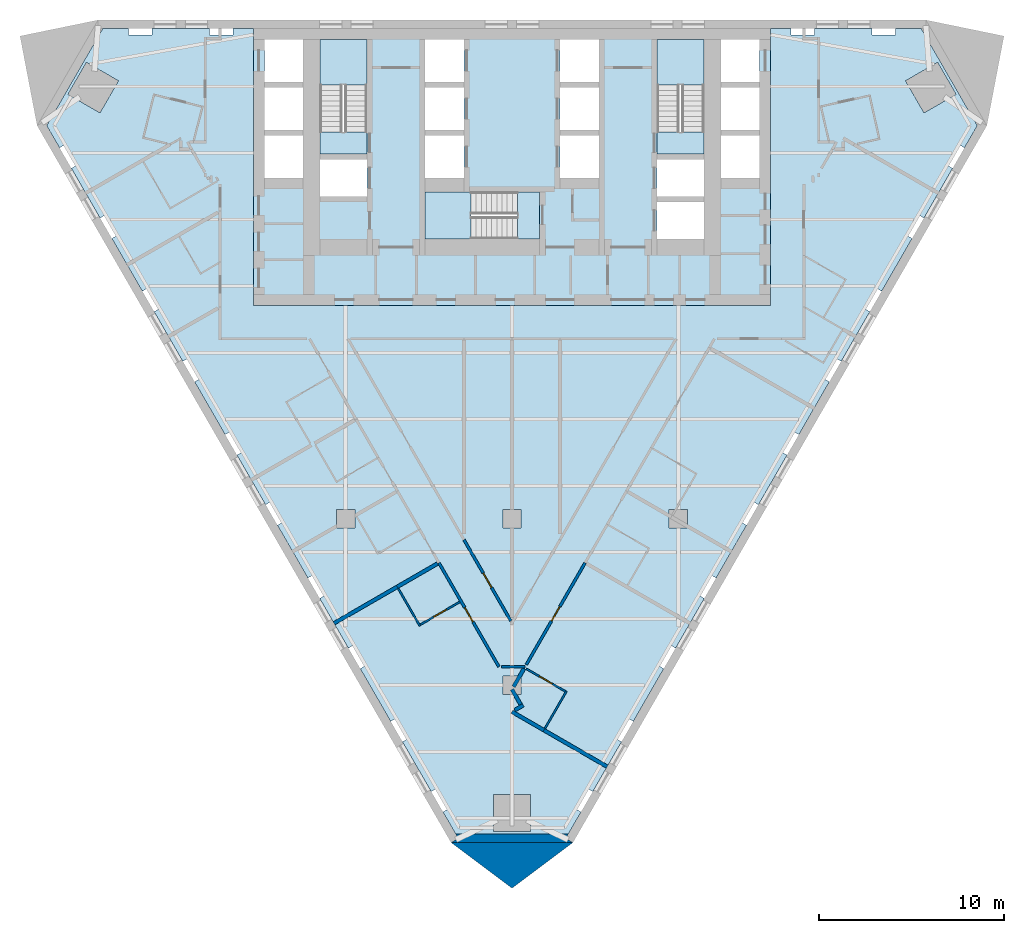
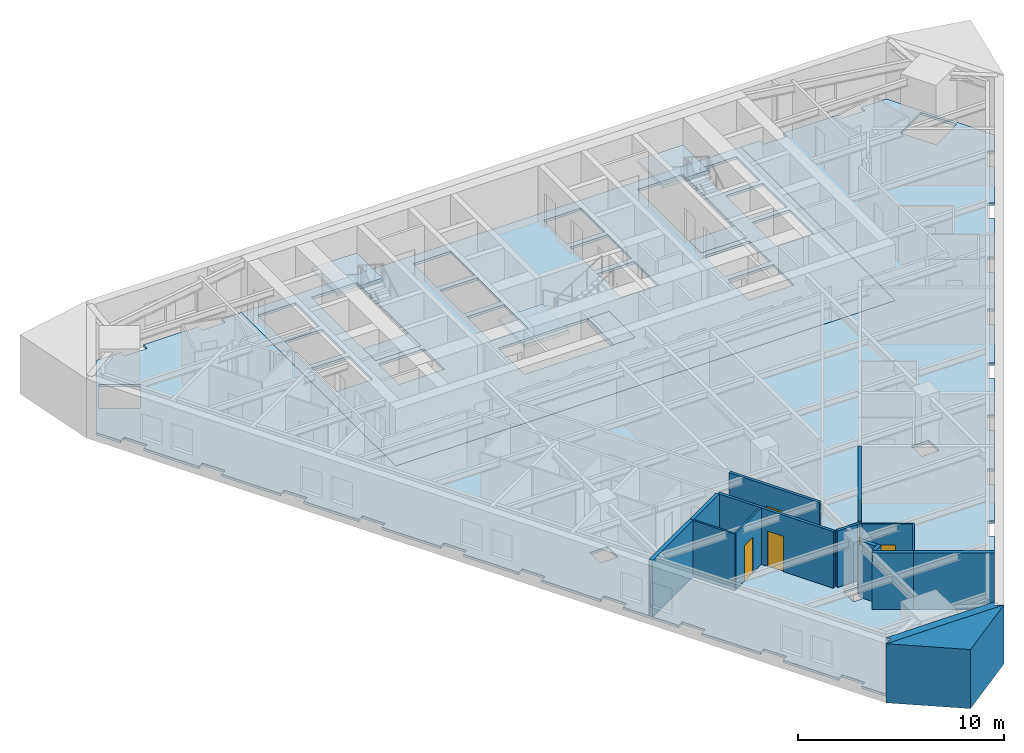
# One storey, part 2 of 10: 17 walls, 8 slabs, 5 doors, 5 openings, 3 elements without a shape of their own.
"""IFC4 building model written with IfcOpenShell, lengths in metres."""

from ifc_helpers import new_model, si_unit, direction, frame, frame_2d, origin, place, context, subcontext, project, spatial, polyline, rectangle, outline, extrude, material, layer, layer_set, type_object, element, fill, aggregate, save


model = new_model("IFC4")

# Units and contexts
model_context = context("Model", 3, precision=1e-05, world=origin(), true_north=direction((0.0, 1.0)))
body_context = subcontext(model_context, "Body", "Model", "MODEL_VIEW")
ifc_project = project(units=[si_unit("LENGTHUNIT", "METRE"), si_unit("AREAUNIT", "SQUARE_METRE"), si_unit("VOLUMEUNIT", "CUBIC_METRE"), si_unit("PLANEANGLEUNIT", "RADIAN"), si_unit("MASSUNIT", "GRAM", prefix="KILO")], contexts=[model_context])

# Site, building, storey
site_placement = place(None, origin())
site = spatial("IfcSite", under=ifc_project, at=site_placement, CompositionType="ELEMENT")
building_placement = place(site_placement, origin())
building = spatial("IfcBuilding", under=site, at=building_placement, Name="Aloe Facet Convention Tower", CompositionType="ELEMENT")
storey_placement = place(building_placement, frame((0.0, 0.0, 59.5)))
storey = spatial("IfcBuildingStorey", under=building, at=storey_placement, Name="L13", CompositionType="ELEMENT", Elevation=59.5)

# Slabs
ifc_material_1 = material(Name="Concrete C80/95", Category="concrete")
ifc_layer_1 = layer(ifc_material_1, 0.14990234375)
ifc_layer_set_1 = layer_set([ifc_layer_1], Name="CR-S-FLOOR150-C8095")
slab_type_1 = type_object("IfcSlabType", Name="CR-S-FLOOR150-C8095", PredefinedType="FLOOR", material=ifc_layer_set_1)
slab_1_placement = place(storey_placement, frame((0.0, 0.0, -0.14990234375)))
element("IfcSlab", 1, at=slab_1_placement, inside=storey, type_object=slab_type_1, Name="Core floor L13", PredefinedType="FLOOR", context=body_context, shape_type="SweptSolid", body=[
    extrude(outline(polyline([(69.300048828125, 134.550048828125), (71.85009765625, 134.550048828125), (72.75, 134.550048828125), (74.699951171875, 134.550048828125), (75.60009765625, 134.550048828125), (77.10009765625, 134.550048828125), (78.0, 134.550048828125), (82.0, 134.550048828125), (82.89990234375, 134.550048828125), (84.39990234375, 134.550048828125), (85.300048828125, 134.550048828125), (87.25, 134.550048828125), (88.14990234375, 134.550048828125), (90.699951171875, 134.550048828125), (91.0, 134.550048828125), (94.0, 134.550048828125), (94.0, 131.949951171875), (94.0, 131.050048828125), (94.0, 129.35009765625), (94.0, 128.449951171875), (94.0, 126.449951171875), (94.0, 125.85009765625), (94.0, 124.949951171875), (94.0, 123.89990234375), (94.0, 122.871337890625), (94.0, 121.821533203125), (94.0, 119.550048828125), (91.300048828125, 119.550048828125), (90.699951171875, 119.550048828125), (89.60009765625, 119.550048828125), (88.550048828125, 119.550048828125), (87.89990234375, 119.550048828125), (86.85009765625, 119.550048828125), (85.699951171875, 119.550048828125), (84.64990234375, 119.550048828125), (83.699951171875, 119.550048828125), (82.64990234375, 119.550048828125), (81.75, 119.550048828125), (80.699951171875, 119.550048828125), (78.550048828125, 119.550048828125), (77.5, 119.550048828125), (75.35009765625, 119.550048828125), (74.300048828125, 119.550048828125), (73.14990234375, 119.550048828125), (72.10009765625, 119.550048828125), (69.300048828125, 119.550048828125), (66.0, 119.550048828125), (66.0, 121.5), (66.0, 122.550048828125), (66.0, 123.449951171875), (66.0, 124.5), (66.0, 125.85009765625), (66.0, 126.449951171875), (66.0, 128.449951171875), (66.0, 129.35009765625), (66.0, 131.050048828125), (66.0, 131.949951171875), (66.0, 134.550048828125), (69.0, 134.550048828125), (69.300048828125, 134.550048828125)]), holes=[polyline([(75.300048828125, 123.14990234375), (80.298828125, 123.14990234375), (81.5, 123.14990234375), (81.5, 125.699951171875), (80.298828125, 125.699951171875), (75.300048828125, 125.699951171875), (75.300048828125, 123.14990234375)]), polyline([(69.60009765625, 125.449951171875), (72.14990234375, 125.449951171875), (72.14990234375, 127.449951171875), (69.60009765625, 127.449951171875), (69.60009765625, 125.449951171875)]), polyline([(66.60009765625, 126.449951171875), (68.699951171875, 126.449951171875), (68.699951171875, 128.75), (66.60009765625, 128.75), (66.60009765625, 126.449951171875)]), polyline([(75.300048828125, 126.449951171875), (77.39990234375, 126.449951171875), (77.39990234375, 128.75), (75.300048828125, 128.75), (75.300048828125, 126.449951171875)]), polyline([(66.60009765625, 129.050048828125), (68.699951171875, 129.050048828125), (68.699951171875, 131.35009765625), (66.60009765625, 131.35009765625), (66.60009765625, 129.050048828125)]), polyline([(75.300048828125, 129.050048828125), (77.39990234375, 129.050048828125), (77.39990234375, 131.35009765625), (75.300048828125, 131.35009765625), (75.300048828125, 129.050048828125)]), polyline([(69.60009765625, 133.949951171875), (69.60009765625, 128.951171875), (69.60009765625, 127.75), (72.14990234375, 127.75), (72.14990234375, 128.951171875), (72.14990234375, 133.949951171875), (69.60009765625, 133.949951171875)]), polyline([(66.60009765625, 133.949951171875), (66.60009765625, 131.64990234375), (68.699951171875, 131.64990234375), (68.699951171875, 133.949951171875), (66.60009765625, 133.949951171875)]), polyline([(75.300048828125, 133.949951171875), (75.300048828125, 131.64990234375), (77.39990234375, 131.64990234375), (77.39990234375, 133.949951171875), (75.300048828125, 133.949951171875)]), polyline([(87.85009765625, 123.14990234375), (90.39990234375, 123.14990234375), (90.39990234375, 125.14990234375), (87.85009765625, 125.14990234375), (87.85009765625, 123.14990234375)]), polyline([(87.85009765625, 125.449951171875), (90.39990234375, 125.449951171875), (90.39990234375, 127.449951171875), (87.85009765625, 127.449951171875), (87.85009765625, 125.449951171875)]), polyline([(82.60009765625, 126.449951171875), (84.699951171875, 126.449951171875), (84.699951171875, 128.75), (82.60009765625, 128.75), (82.60009765625, 126.449951171875)]), polyline([(91.300048828125, 126.449951171875), (93.39990234375, 126.449951171875), (93.39990234375, 128.75), (91.300048828125, 128.75), (91.300048828125, 126.449951171875)]), polyline([(82.60009765625, 129.050048828125), (84.699951171875, 129.050048828125), (84.699951171875, 131.35009765625), (82.60009765625, 131.35009765625), (82.60009765625, 129.050048828125)]), polyline([(91.300048828125, 129.050048828125), (93.39990234375, 129.050048828125), (93.39990234375, 131.35009765625), (91.300048828125, 131.35009765625), (91.300048828125, 129.050048828125)]), polyline([(87.85009765625, 133.949951171875), (87.85009765625, 128.951171875), (87.85009765625, 127.75), (90.39990234375, 127.75), (90.39990234375, 128.951171875), (90.39990234375, 133.949951171875), (87.85009765625, 133.949951171875)]), polyline([(82.60009765625, 133.949951171875), (82.60009765625, 131.64990234375), (84.699951171875, 131.64990234375), (84.699951171875, 133.949951171875), (82.60009765625, 133.949951171875)]), polyline([(91.300048828125, 133.949951171875), (91.300048828125, 131.64990234375), (93.39990234375, 131.64990234375), (93.39990234375, 133.949951171875), (91.300048828125, 133.949951171875)])]), origin(), (0.0, 0.0, 1.0), 0.14990234375),
])
ifc_material_2 = material(Name="Concrete C80/95", Category="concrete")
ifc_layer_2 = layer(ifc_material_2, 0.300048828125)
ifc_layer_set_2 = layer_set([ifc_layer_2], Name="CR-S-FLOOR300-C8095")
slab_type_2 = type_object("IfcSlabType", Name="CR-S-FLOOR300-C8095", PredefinedType="FLOOR", material=ifc_layer_set_2)
slab_2_placement = place(storey_placement, frame((0.0, 0.0, -0.300048828125)))
element("IfcSlab", 2, at=slab_2_placement, inside=storey, type_object=slab_type_2, Name="Stair landing floor L13", PredefinedType="FLOOR", context=body_context, shape_type="SweptSolid", body=[
    extrude(outline(polyline([(72.14990234375, 127.75), (72.14990234375, 128.951171875), (69.60009765625, 128.951171875), (69.60009765625, 127.75), (72.14990234375, 127.75)])), origin(), (0.0, 0.0, 1.0), 0.300048828125),
])
slab_3_placement = place(storey_placement, frame((0.0, 0.0, -0.300048828125)))
element("IfcSlab", 3, at=slab_3_placement, inside=storey, type_object=slab_type_2, Name="Stair landing floor L13", PredefinedType="FLOOR", context=body_context, shape_type="SweptSolid", body=[
    extrude(outline(polyline([(90.39990234375, 127.75), (90.39990234375, 128.951171875), (87.85009765625, 128.951171875), (87.85009765625, 127.75), (90.39990234375, 127.75)])), origin(), (0.0, 0.0, 1.0), 0.300048828125),
])
slab_4_placement = place(storey_placement, frame((0.0, 0.0, -0.300048828125)))
element("IfcSlab", 4, at=slab_4_placement, inside=storey, type_object=slab_type_2, Name="Stair landing floor L13", PredefinedType="FLOOR", context=body_context, shape_type="SweptSolid", body=[
    extrude(outline(polyline([(81.5, 125.699951171875), (80.298828125, 125.699951171875), (80.298828125, 123.14990234375), (81.5, 123.14990234375), (81.5, 125.699951171875)])), origin(), (0.0, 0.0, 1.0), 0.300048828125),
])

# Stair, slab
ifc_material_3 = material(Name="Concrete C50/60", Category="concrete")
stair_type = type_object("IfcStairType", Name="CR-ST-20R", PredefinedType="HALF_TURN_STAIR", material=ifc_material_3)
stair_1_placement = place(storey_placement, origin())
stair_1 = element("IfcStair", 5, at=stair_1_placement, inside=storey, type_object=stair_type, Name="L13 Protected exit stair ST1", PredefinedType="HALF_TURN_STAIR")
ifc_material_4 = material(Name="Concrete C50/60", Category="concrete")
ifc_layer_3 = layer(ifc_material_4, 0.199951171875)
ifc_layer_set_3 = layer_set([ifc_layer_3], Name="CR-SL-LANDING")
slab_type_3 = type_object("IfcSlabType", Name="CR-SL-LANDING", PredefinedType="LANDING", material=ifc_layer_set_3)
slab_5_placement = place(storey_placement, frame((0.0, 0.0, 1.550048828125)))
slab_5 = element("IfcSlab", 6, at=slab_5_placement, type_object=slab_type_3, Name="ST1 landing 1", PredefinedType="LANDING", context=body_context, shape_type="SweptSolid", body=[
    extrude(outline(polyline([(72.14990234375, 131.469970703125), (72.14990234375, 133.949951171875), (69.60009765625, 133.949951171875), (69.60009765625, 131.469970703125), (72.14990234375, 131.469970703125)])), origin(), (0.0, 0.0, 1.0), 0.199951171875),
])
aggregate(stair_1, [slab_5])

stair_2_placement = place(storey_placement, origin())
stair_2 = element("IfcStair", 7, at=stair_2_placement, inside=storey, type_object=stair_type, Name="L13 Protected exit stair ST2", PredefinedType="HALF_TURN_STAIR")
slab_6_placement = place(storey_placement, frame((0.0, 0.0, 1.550048828125)))
slab_6 = element("IfcSlab", 8, at=slab_6_placement, type_object=slab_type_3, Name="ST2 landing 1", PredefinedType="LANDING", context=body_context, shape_type="SweptSolid", body=[
    extrude(outline(polyline([(90.39990234375, 131.469970703125), (90.39990234375, 133.949951171875), (87.85009765625, 133.949951171875), (87.85009765625, 131.469970703125), (90.39990234375, 131.469970703125)])), origin(), (0.0, 0.0, 1.0), 0.199951171875),
])
aggregate(stair_2, [slab_6])

stair_3_placement = place(storey_placement, origin())
stair_3 = element("IfcStair", 9, at=stair_3_placement, inside=storey, type_object=stair_type, Name="L13 Protected exit stair ST3", PredefinedType="HALF_TURN_STAIR")
slab_7_placement = place(storey_placement, frame((0.0, 0.0, 1.550048828125)))
slab_7 = element("IfcSlab", 10, at=slab_7_placement, type_object=slab_type_3, Name="ST3 landing 1", PredefinedType="LANDING", context=body_context, shape_type="SweptSolid", body=[
    extrude(outline(polyline([(77.780029296875, 125.699951171875), (75.300048828125, 125.699951171875), (75.300048828125, 123.14990234375), (77.780029296875, 123.14990234375), (77.780029296875, 125.699951171875)])), origin(), (0.0, 0.0, 1.0), 0.199951171875),
])
aggregate(stair_3, [slab_7])

# Slab
ifc_material_5 = material(Name="Concrete C35/45", Category="concrete")
ifc_layer_4 = layer(ifc_material_5, 0.14990234375)
ifc_layer_set_4 = layer_set([ifc_layer_4], Name="SF-FS-150")
slab_type_4 = type_object("IfcSlabType", Name="SF-FS-150", PredefinedType="FLOOR", material=ifc_layer_set_4)
slab_8_placement = place(storey_placement, frame((0.0, 0.0, -0.14990234375)))
element("IfcSlab", 11, at=slab_8_placement, inside=storey, type_object=slab_type_4, Name="Floor slab L13-1", PredefinedType="FLOOR", context=body_context, shape_type="SweptSolid", body=[
    extrude(outline(polyline([(105.180419921875, 129.2841796875), (104.487060546875, 128.08349609375), (104.18408203125, 128.25830078125), (103.54248046875, 127.147216796875), (103.845458984375, 126.97216796875), (102.295166015625, 124.286865234375), (101.991943359375, 124.4619140625), (101.350341796875, 123.350341796875), (101.653564453125, 123.17529296875), (100.007080078125, 120.32373046875), (99.7041015625, 120.498779296875), (99.0625, 119.387451171875), (99.365478515625, 119.21240234375), (97.815185546875, 116.527099609375), (97.511962890625, 116.7021484375), (96.870361328125, 115.5908203125), (97.173583984375, 115.416015625), (95.527099609375, 112.564208984375), (95.22412109375, 112.7392578125), (94.58251953125, 111.6279296875), (94.885498046875, 111.452880859375), (93.335205078125, 108.767578125), (93.031982421875, 108.942626953125), (92.390380859375, 107.831298828125), (92.693603515625, 107.65625), (91.047119140625, 104.8046875), (90.743896484375, 104.979736328125), (90.102294921875, 103.868408203125), (90.405517578125, 103.693359375), (88.85498046875, 101.008056640625), (88.552001953125, 101.18310546875), (87.910400390625, 100.07177734375), (88.21337890625, 99.896728515625), (86.567138671875, 97.045166015625), (86.263916015625, 97.22021484375), (85.622314453125, 96.108642578125), (85.925537109375, 95.93359375), (84.375, 93.248291015625), (84.072021484375, 93.42333984375), (83.430419921875, 92.31201171875), (83.7333984375, 92.13720703125), (83.040283203125, 90.936279296875), (76.959716796875, 90.936279296875), (76.2666015625, 92.13720703125), (76.569580078125, 92.31201171875), (75.927978515625, 93.42333984375), (75.625, 93.248291015625), (74.074462890625, 95.93359375), (74.377685546875, 96.108642578125), (73.736083984375, 97.22021484375), (73.432861328125, 97.045166015625), (71.78662109375, 99.896728515625), (72.089599609375, 100.07177734375), (71.447998046875, 101.18310546875), (71.14501953125, 101.008056640625), (69.594482421875, 103.693359375), (69.897705078125, 103.868408203125), (69.256103515625, 104.979736328125), (68.952880859375, 104.8046875), (67.306396484375, 107.65625), (67.609619140625, 107.831298828125), (66.968017578125, 108.942626953125), (66.664794921875, 108.767578125), (65.114501953125, 111.452880859375), (65.41748046875, 111.6279296875), (64.77587890625, 112.7392578125), (64.472900390625, 112.564208984375), (62.826416015625, 115.416015625), (63.129638671875, 115.5908203125), (62.488037109375, 116.7021484375), (62.184814453125, 116.527099609375), (60.634521484375, 119.21240234375), (60.9375, 119.387451171875), (60.2958984375, 120.498779296875), (59.992919921875, 120.32373046875), (58.346435546875, 123.17529296875), (58.649658203125, 123.350341796875), (58.008056640625, 124.4619140625), (57.704833984375, 124.286865234375), (56.154541015625, 126.97216796875), (56.45751953125, 127.147216796875), (55.81591796875, 128.25830078125), (55.512939453125, 128.08349609375), (54.819580078125, 129.2841796875), (57.85986328125, 134.550048828125), (59.246337890625, 134.550048828125), (59.246337890625, 134.199951171875), (60.529541015625, 134.199951171875), (60.529541015625, 134.550048828125), (63.63037109375, 134.550048828125), (63.63037109375, 134.199951171875), (64.91357421875, 134.199951171875), (64.91357421875, 134.550048828125), (66.0, 134.550048828125), (66.0, 131.949951171875), (66.0, 131.050048828125), (66.0, 129.35009765625), (66.0, 128.449951171875), (66.0, 126.449951171875), (66.0, 125.85009765625), (66.0, 124.5), (66.0, 123.449951171875), (66.0, 122.550048828125), (66.0, 121.5), (66.0, 119.550048828125), (69.300048828125, 119.550048828125), (72.10009765625, 119.550048828125), (73.14990234375, 119.550048828125), (74.300048828125, 119.550048828125), (75.35009765625, 119.550048828125), (77.5, 119.550048828125), (78.550048828125, 119.550048828125), (80.699951171875, 119.550048828125), (81.75, 119.550048828125), (82.64990234375, 119.550048828125), (83.699951171875, 119.550048828125), (84.64990234375, 119.550048828125), (85.699951171875, 119.550048828125), (86.85009765625, 119.550048828125), (87.89990234375, 119.550048828125), (88.550048828125, 119.550048828125), (89.60009765625, 119.550048828125), (90.699951171875, 119.550048828125), (91.300048828125, 119.550048828125), (94.0, 119.550048828125), (94.0, 121.8212890625), (94.0, 122.871337890625), (94.0, 123.89990234375), (94.0, 124.949951171875), (94.0, 125.85009765625), (94.0, 126.449951171875), (94.0, 128.449951171875), (94.0, 129.35009765625), (94.0, 131.050048828125), (94.0, 131.949951171875), (94.0, 134.550048828125), (95.08642578125, 134.550048828125), (95.08642578125, 134.199951171875), (96.36962890625, 134.199951171875), (96.36962890625, 134.550048828125), (99.470458984375, 134.550048828125), (99.470458984375, 134.199951171875), (100.753662109375, 134.199951171875), (100.753662109375, 134.550048828125), (102.14013671875, 134.550048828125), (105.180419921875, 129.2841796875)]), holes=[polyline([(80.5, 98.5), (80.5, 99.5), (79.5, 99.5), (79.5, 98.5), (80.5, 98.5)]), polyline([(80.5, 107.5), (80.5, 108.5), (79.5, 108.5), (79.5, 107.5), (80.5, 107.5)]), polyline([(71.5, 107.5), (71.5, 108.5), (70.5, 108.5), (70.5, 107.5), (71.5, 107.5)]), polyline([(58.70166015625, 131.7080078125), (56.969482421875, 132.7080078125), (55.969482421875, 130.97607421875), (57.70166015625, 129.97607421875), (58.70166015625, 131.7080078125)]), polyline([(79.0, 91.086181640625), (81.0, 91.086181640625), (81.0, 93.086181640625), (79.0, 93.086181640625), (79.0, 91.086181640625)]), polyline([(89.5, 107.5), (89.5, 108.5), (88.5, 108.5), (88.5, 107.5), (89.5, 107.5)]), polyline([(102.29833984375, 129.97607421875), (104.030517578125, 130.97607421875), (103.030517578125, 132.7080078125), (101.29833984375, 131.7080078125), (102.29833984375, 129.97607421875)])]), origin(), (0.0, 0.0, 1.0), 0.14990234375),
])

# Walls
ifc_material_6 = material(Name="Precast concrete C40/50", Category="concrete")
ifc_layer_5 = layer(ifc_material_6, 0.449951171875)
ifc_layer_set_5 = layer_set([ifc_layer_5], Name="EV-WALL-PIER")
wall_type_1 = type_object("IfcWallType", Name="EV-WALL-PIER", PredefinedType="SOLIDWALL", material=ifc_layer_set_5)
wall_1_placement = place(storey_placement, frame((0.0, 0.0, -0.14990234375)))
element("IfcWall", 12, at=wall_1_placement, inside=storey, type_object=wall_type_1, Name="EP-L13-B", PredefinedType="SOLIDWALL", context=body_context, shape_type="SweptSolid", body=[
    extrude(outline(polyline([(76.699951171875, 90.486328125), (77.089599609375, 90.711181640625), (76.959716796875, 90.936279296875), (83.040283203125, 90.936279296875), (82.910400390625, 90.711181640625), (83.300048828125, 90.486328125), (76.699951171875, 90.486328125)])), origin(), (0.0, 0.0, 1.0), 3.5),
])
ifc_material_7 = material(Name="Precast concrete C40/50", Category="concrete")
ifc_layer_6 = layer(ifc_material_7, 3.947998046875)
ifc_layer_set_6 = layer_set([ifc_layer_6], Name="EV-WALL-SPINE")
wall_type_2 = type_object("IfcWallType", Name="EV-WALL-SPINE", PredefinedType="SOLIDWALL", material=ifc_layer_set_6)
wall_2_placement = place(storey_placement, frame((0.0, 0.0, -0.14990234375)))
element("IfcWall", 13, at=wall_2_placement, inside=storey, type_object=wall_type_2, Name="SP-S-L13", PredefinedType="SOLIDWALL", context=body_context, shape_type="SweptSolid", body=[
    extrude(outline(polyline([(76.699951171875, 90.486328125), (80.0, 88.01513671875), (83.300048828125, 90.486328125), (76.699951171875, 90.486328125)])), origin(), (0.0, 0.0, 1.0), 3.5),
])

# Wall, opening, door
ifc_material_8 = material(Name="Gypsum board partition on steel studs", Category="steel")
ifc_layer_7 = layer(ifc_material_8, 0.14990234375)
ifc_layer_set_7 = layer_set([ifc_layer_7], Name="IN-W-CORR")
wall_type_3 = type_object("IfcWallType", Name="IN-W-CORR", PredefinedType="PARTITIONING", material=ifc_layer_set_7)
wall_3_placement = place(storey_placement, frame((76.042236328125, 105.625732421875, 0.0), z_axis=(0.0, 0.0, 1.0), x_axis=(0.499991405182, -0.866030365948, 0.0)))
wall_3 = element("IfcWall", 14, at=wall_3_placement, inside=storey, type_object=wall_type_3, Name="Partition L13-W009", PredefinedType="PARTITIONING", context=body_context, shape_type="SweptSolid", body=[
    extrude(rectangle(XDim=6.49560546875, YDim=0.14990234375, at=frame_2d((3.247802734375, 0.0))), origin(), (0.0, 0.0, 1.0), 3.35009765625),
])
opening_1_placement = place(wall_3_placement, frame((2.7978515625, 0.0, 0.0)))
opening_1 = element("IfcOpeningElement", 15, at=opening_1_placement, cuts=wall_3, Name="Opening L13-008", PredefinedType="OPENING", context=body_context, shape_type="SweptSolid", body=[
    extrude(rectangle(XDim=0.89990234375, YDim=2.10009765625, at=frame_2d((0.449951171875, 1.050048828125))), frame((0.0, 0.0849609375, 0.0), z_axis=(0.0, -1.0, 0.0), x_axis=(1.0, 0.0, 0.0)), (0.0, 0.0, 1.0), 0.169921875),
])
ifc_material_9 = material(Name="Hardwood flush door FD30S", Category="wood")
door_type_1 = type_object("IfcDoorType", Name="IN-D-GUEST", OperationType="SINGLE_SWING_LEFT", PredefinedType="DOOR", material=ifc_material_9)
door_1_placement = place(opening_1_placement, origin())
door_1 = element("IfcDoor", 16, at=door_1_placement, inside=storey, type_object=door_type_1, Name="Door L13-008", OperationType="SINGLE_SWING_LEFT", OverallHeight=2.10009765625, OverallWidth=0.89990234375, PredefinedType="DOOR", context=body_context, shape_type="SweptSolid", body=[
    extrude(rectangle(XDim=0.89990234375, YDim=2.10009765625, at=frame_2d((0.449951171875, 1.050048828125))), frame((0.0, 0.02490234375, 0.0), z_axis=(0.0, -1.0, 0.0), x_axis=(1.0, 0.0, 0.0)), (0.0, 0.0, 1.0), 0.050048828125),
])
fill(opening_1, door_1)

# Wall
wall_4_placement = place(storey_placement, frame((79.419921875, 100.000244140625, 0.0), z_axis=(0.0, 0.0, 1.0), x_axis=(0.999999982085, -0.000189286387, 0.0)))
element("IfcWall", 17, at=wall_4_placement, inside=storey, type_object=wall_type_3, Name="Partition L13-W010", PredefinedType="PARTITIONING", context=body_context, shape_type="SweptSolid", body=[
    extrude(rectangle(XDim=1.289794921875, YDim=0.14990234375, at=frame_2d((0.64501953125, 0.0))), origin(), (0.0, 0.0, 1.0), 3.35009765625),
])

# Wall, opening, door
wall_5_placement = place(storey_placement, frame((80.774658203125, 100.112548828125, 0.0), z_axis=(0.0, 0.0, 1.0), x_axis=(0.5000079448, 0.866020816803, 0.0)))
wall_5 = element("IfcWall", 18, at=wall_5_placement, inside=storey, type_object=wall_type_3, Name="Partition L13-W023", PredefinedType="PARTITIONING", context=body_context, shape_type="SweptSolid", body=[
    extrude(rectangle(XDim=6.3662109375, YDim=0.14990234375, at=frame_2d((3.18310546875, 0.0))), origin(), (0.0, 0.0, 1.0), 3.35009765625),
])
opening_2_placement = place(wall_5_placement, frame((2.733154296875, 0.0, 0.0)))
opening_2 = element("IfcOpeningElement", 19, at=opening_2_placement, cuts=wall_5, Name="Opening L13-009", PredefinedType="OPENING", context=body_context, shape_type="SweptSolid", body=[
    extrude(rectangle(XDim=0.89990234375, YDim=2.10009765625, at=frame_2d((0.449951171875, 1.050048828125))), frame((0.0, 0.0849609375, 0.0), z_axis=(0.0, -1.0, 0.0), x_axis=(1.0, 0.0, 0.0)), (0.0, 0.0, 1.0), 0.169921875),
])
door_2_placement = place(opening_2_placement, origin())
door_2 = element("IfcDoor", 20, at=door_2_placement, inside=storey, type_object=door_type_1, Name="Door L13-009", OperationType="SINGLE_SWING_LEFT", OverallHeight=2.10009765625, OverallWidth=0.89990234375, PredefinedType="DOOR", context=body_context, shape_type="SweptSolid", body=[
    extrude(rectangle(XDim=0.89990234375, YDim=2.10009765625, at=frame_2d((0.449951171875, 1.050048828125))), frame((0.0, 0.02490234375, 0.0), z_axis=(0.0, -1.0, 0.0), x_axis=(1.0, 0.0, 0.0)), (0.0, 0.0, 1.0), 0.050048828125),
])
fill(opening_2, door_2)

wall_6_placement = place(storey_placement, frame((77.39892578125, 106.87548828125, 0.0), z_axis=(0.0, 0.0, 1.0), x_axis=(0.500017996867, -0.866015013039, 0.0)))
wall_6 = element("IfcWall", 21, at=wall_6_placement, inside=storey, type_object=wall_type_3, Name="Partition L13-W030", PredefinedType="PARTITIONING", context=body_context, shape_type="SweptSolid", body=[
    extrude(rectangle(XDim=5.076904296875, YDim=0.14990234375, at=frame_2d((2.53857421875, 0.0))), origin(), (0.0, 0.0, 1.0), 3.35009765625),
])
opening_3_placement = place(wall_6_placement, frame((2.08837890625, 0.0, 0.0)))
opening_3 = element("IfcOpeningElement", 22, at=opening_3_placement, cuts=wall_6, Name="Opening L13-015", PredefinedType="OPENING", context=body_context, shape_type="SweptSolid", body=[
    extrude(rectangle(XDim=0.89990234375, YDim=2.10009765625, at=frame_2d((0.449951171875, 1.050048828125))), frame((0.0, 0.0849609375, 0.0), z_axis=(0.0, -1.0, 0.0), x_axis=(1.0, 0.0, 0.0)), (0.0, 0.0, 1.0), 0.169921875),
])
door_3_placement = place(opening_3_placement, origin())
door_3 = element("IfcDoor", 23, at=door_3_placement, inside=storey, type_object=door_type_1, Name="Door L13-015", OperationType="SINGLE_SWING_LEFT", OverallHeight=2.10009765625, OverallWidth=0.89990234375, PredefinedType="DOOR", context=body_context, shape_type="SweptSolid", body=[
    extrude(rectangle(XDim=0.89990234375, YDim=2.10009765625, at=frame_2d((0.449951171875, 1.050048828125))), frame((0.0, 0.02490234375, 0.0), z_axis=(0.0, -1.0, 0.0), x_axis=(1.0, 0.0, 0.0)), (0.0, 0.0, 1.0), 0.050048828125),
])
fill(opening_3, door_3)

# Wall
ifc_material_10 = material(Name="Gypsum board partition on steel studs", Category="steel")
ifc_layer_8 = layer(ifc_material_10, 0.10009765625)
ifc_layer_set_8 = layer_set([ifc_layer_8], Name="IN-W-PART")
wall_type_4 = type_object("IfcWallType", Name="IN-W-PART", PredefinedType="PARTITIONING", material=ifc_layer_set_8)
wall_7_placement = place(storey_placement, frame((81.784423828125, 96.661376953125, 0.0), z_axis=(0.0, 0.0, 1.0), x_axis=(0.500077683152, 0.86598054875, 0.0)))
element("IfcWall", 24, at=wall_7_placement, inside=storey, type_object=wall_type_4, Name="Partition L13-W005", PredefinedType="PARTITIONING", context=body_context, shape_type="SweptSolid", body=[
    extrude(rectangle(XDim=2.340087890625, YDim=0.10009765625, at=frame_2d((1.169921875, 0.0))), origin(), (0.0, 0.0, 1.0), 3.35009765625),
])

# Wall, opening, door
wall_8_placement = place(storey_placement, frame((80.773193359375, 99.8896484375, 0.0), z_axis=(0.0, 0.0, 1.0), x_axis=(0.865980627057, -0.500077547548, 0.0)))
wall_8 = element("IfcWall", 25, at=wall_8_placement, inside=storey, type_object=wall_type_4, Name="Partition L13-W007", PredefinedType="PARTITIONING", context=body_context, shape_type="SweptSolid", body=[
    extrude(rectangle(XDim=2.43994140625, YDim=0.10009765625, at=frame_2d((1.219970703125, 0.0))), origin(), (0.0, 0.0, 1.0), 3.35009765625),
])
opening_4_placement = place(wall_8_placement, frame((0.820068359375, 0.0, 0.0)))
opening_4 = element("IfcOpeningElement", 26, at=opening_4_placement, cuts=wall_8, Name="Opening L13-026", PredefinedType="OPENING", context=body_context, shape_type="SweptSolid", body=[
    extrude(rectangle(XDim=0.800048828125, YDim=2.10009765625, at=frame_2d((0.39990234375, 1.050048828125))), frame((0.0, 0.06005859375, 0.0), z_axis=(0.0, -1.0, 0.0), x_axis=(1.0, 0.0, 0.0)), (0.0, 0.0, 1.0), 0.1201171875),
])
ifc_material_11 = material(Name="Timber flush door", Category="wood")
door_type_2 = type_object("IfcDoorType", Name="IN-D-BATH", OperationType="SINGLE_SWING_LEFT", PredefinedType="DOOR", material=ifc_material_11)
door_4_placement = place(opening_4_placement, origin())
door_4 = element("IfcDoor", 27, at=door_4_placement, inside=storey, type_object=door_type_2, Name="Door L13-026", OperationType="SINGLE_SWING_LEFT", OverallHeight=2.10009765625, OverallWidth=0.800048828125, PredefinedType="DOOR", context=body_context, shape_type="SweptSolid", body=[
    extrude(rectangle(XDim=0.800048828125, YDim=2.10009765625, at=frame_2d((0.39990234375, 1.050048828125))), frame((0.0, 0.02490234375, 0.0), z_axis=(0.0, -1.0, 0.0), x_axis=(1.0, 0.0, 0.0)), (0.0, 0.0, 1.0), 0.050048828125),
])
fill(opening_4, door_4)

# Wall
wall_9_placement = place(storey_placement, frame((73.845458984375, 104.23046875, 0.0), z_axis=(0.0, 0.0, 1.0), x_axis=(0.500032503492, -0.866006637072, 0.0)))
element("IfcWall", 28, at=wall_9_placement, inside=storey, type_object=wall_type_4, Name="Partition L13-W011", PredefinedType="PARTITIONING", context=body_context, shape_type="SweptSolid", body=[
    extrude(rectangle(XDim=2.340087890625, YDim=0.10009765625, at=frame_2d((1.169921875, 0.0))), origin(), (0.0, 0.0, 1.0), 3.35009765625),
])

# Wall, opening, door
wall_10_placement = place(storey_placement, frame((75.04248046875, 102.277099609375, 0.0), z_axis=(0.0, 0.0, 1.0), x_axis=(0.865997559407, 0.500048224776, 0.0)))
wall_10 = element("IfcWall", 29, at=wall_10_placement, inside=storey, type_object=wall_type_4, Name="Partition L13-W016", PredefinedType="PARTITIONING", context=body_context, shape_type="SweptSolid", body=[
    extrude(rectangle(XDim=2.465087890625, YDim=0.10009765625, at=frame_2d((1.232421875, 0.0))), origin(), (0.0, 0.0, 1.0), 3.35009765625),
])
opening_5_placement = place(wall_10_placement, frame((0.83251953125, 0.0, 0.0)))
opening_5 = element("IfcOpeningElement", 30, at=opening_5_placement, cuts=wall_10, Name="Opening L13-025", PredefinedType="OPENING", context=body_context, shape_type="SweptSolid", body=[
    extrude(rectangle(XDim=0.800048828125, YDim=2.10009765625, at=frame_2d((0.39990234375, 1.050048828125))), frame((0.0, 0.06005859375, 0.0), z_axis=(0.0, -1.0, 0.0), x_axis=(1.0, 0.0, 0.0)), (0.0, 0.0, 1.0), 0.1201171875),
])
door_5_placement = place(opening_5_placement, origin())
door_5 = element("IfcDoor", 31, at=door_5_placement, inside=storey, type_object=door_type_2, Name="Door L13-025", OperationType="SINGLE_SWING_LEFT", OverallHeight=2.10009765625, OverallWidth=0.800048828125, PredefinedType="DOOR", context=body_context, shape_type="SweptSolid", body=[
    extrude(rectangle(XDim=0.800048828125, YDim=2.10009765625, at=frame_2d((0.39990234375, 1.050048828125))), frame((0.0, 0.02490234375, 0.0), z_axis=(0.0, -1.0, 0.0), x_axis=(1.0, 0.0, 0.0)), (0.0, 0.0, 1.0), 0.050048828125),
])
fill(opening_5, door_5)

# Walls
ifc_material_12 = material(Name="Gypsum board partition on steel studs", Category="steel")
ifc_layer_9 = layer(ifc_material_12, 0.199951171875)
ifc_layer_set_9 = layer_set([ifc_layer_9], Name="IN-W-PARTY")
wall_type_5 = type_object("IfcWallType", Name="IN-W-PARTY", PredefinedType="PARTITIONING", material=ifc_layer_set_9)
wall_11_placement = place(storey_placement, frame((81.7294921875, 96.566162109375, 0.0), z_axis=(0.0, 0.0, 1.0), x_axis=(0.866020906874, -0.500007788796, 0.0)))
element("IfcWall", 32, at=wall_11_placement, inside=storey, type_object=wall_type_5, Name="Partition L13-W001", PredefinedType="PARTITIONING", context=body_context, shape_type="SweptSolid", body=[
    extrude(rectangle(XDim=3.9501953125, YDim=0.199951171875, at=frame_2d((1.97509765625, 0.0))), origin(), (0.0, 0.0, 1.0), 3.35009765625),
])
wall_12_placement = place(storey_placement, frame((80.0, 97.564697265625, 0.0), z_axis=(0.0, 0.0, 1.0), x_axis=(0.866022720283, -0.500004647933, 0.0)))
element("IfcWall", 33, at=wall_12_placement, inside=storey, type_object=wall_type_5, Name="Partition L13-W002", PredefinedType="PARTITIONING", context=body_context, shape_type="SweptSolid", body=[
    extrude(rectangle(XDim=1.9970703125, YDim=0.199951171875, at=frame_2d((0.99853515625, 0.0))), origin(), (0.0, 0.0, 1.0), 3.35009765625),
])
wall_13_placement = place(storey_placement, frame((80.14990234375, 97.651123046875, 0.0), z_axis=(0.0, 0.0, 1.0), x_axis=(0.866078079006, 0.499908752739, 0.0)))
element("IfcWall", 34, at=wall_13_placement, inside=storey, type_object=wall_type_5, Name="Partition L13-W003", PredefinedType="PARTITIONING", context=body_context, shape_type="SweptSolid", body=[
    extrude(rectangle(XDim=0.529296875, YDim=0.199951171875, at=frame_2d((0.2646484375, 0.0))), origin(), (0.0, 0.0, 1.0), 3.35009765625),
])
wall_14_placement = place(storey_placement, frame((80.0, 98.7705078125, 0.0), z_axis=(0.0, 0.0, 1.0), x_axis=(0.499624422845, -0.866242134797, 0.0)))
element("IfcWall", 35, at=wall_14_placement, inside=storey, type_object=wall_type_5, Name="Partition L13-W004", PredefinedType="PARTITIONING", context=body_context, shape_type="SweptSolid", body=[
    extrude(rectangle(XDim=0.934326171875, YDim=0.199951171875, at=frame_2d((0.46728515625, 0.0))), origin(), (0.0, 0.0, 1.0), 3.35009765625),
])
wall_15_placement = place(storey_placement, frame((80.086669921875, 98.920654296875, 0.0), z_axis=(0.0, 0.0, 1.0), x_axis=(0.499929606556, 0.866066041644, 0.0)))
element("IfcWall", 36, at=wall_15_placement, inside=storey, type_object=wall_type_5, Name="Partition L13-W006", PredefinedType="PARTITIONING", context=body_context, shape_type="SweptSolid", body=[
    extrude(rectangle(XDim=1.122314453125, YDim=0.199951171875, at=frame_2d((0.56103515625, 0.0))), origin(), (0.0, 0.0, 1.0), 3.35009765625),
])
wall_16_placement = place(storey_placement, frame((70.36962890625, 102.3505859375, 0.0), z_axis=(0.0, 0.0, 1.0), x_axis=(0.866020906874, 0.500007788796, 0.0)))
element("IfcWall", 37, at=wall_16_placement, inside=storey, type_object=wall_type_5, Name="Partition L13-W012", PredefinedType="PARTITIONING", context=body_context, shape_type="SweptSolid", body=[
    extrude(rectangle(XDim=3.9501953125, YDim=0.199951171875, at=frame_2d((1.97509765625, 0.0))), origin(), (0.0, 0.0, 1.0), 3.35009765625),
])
wall_17_placement = place(storey_placement, frame((73.79052734375, 104.32568359375, 0.0), z_axis=(0.0, 0.0, 1.0), x_axis=(0.866006140796, 0.500033362991, 0.0)))
element("IfcWall", 38, at=wall_17_placement, inside=storey, type_object=wall_type_5, Name="Partition L13-W021", PredefinedType="PARTITIONING", context=body_context, shape_type="SweptSolid", body=[
    extrude(rectangle(XDim=2.514892578125, YDim=0.199951171875, at=frame_2d((1.25732421875, 0.0))), origin(), (0.0, 0.0, 1.0), 3.35009765625),
])

save(model, "model.ifc")
